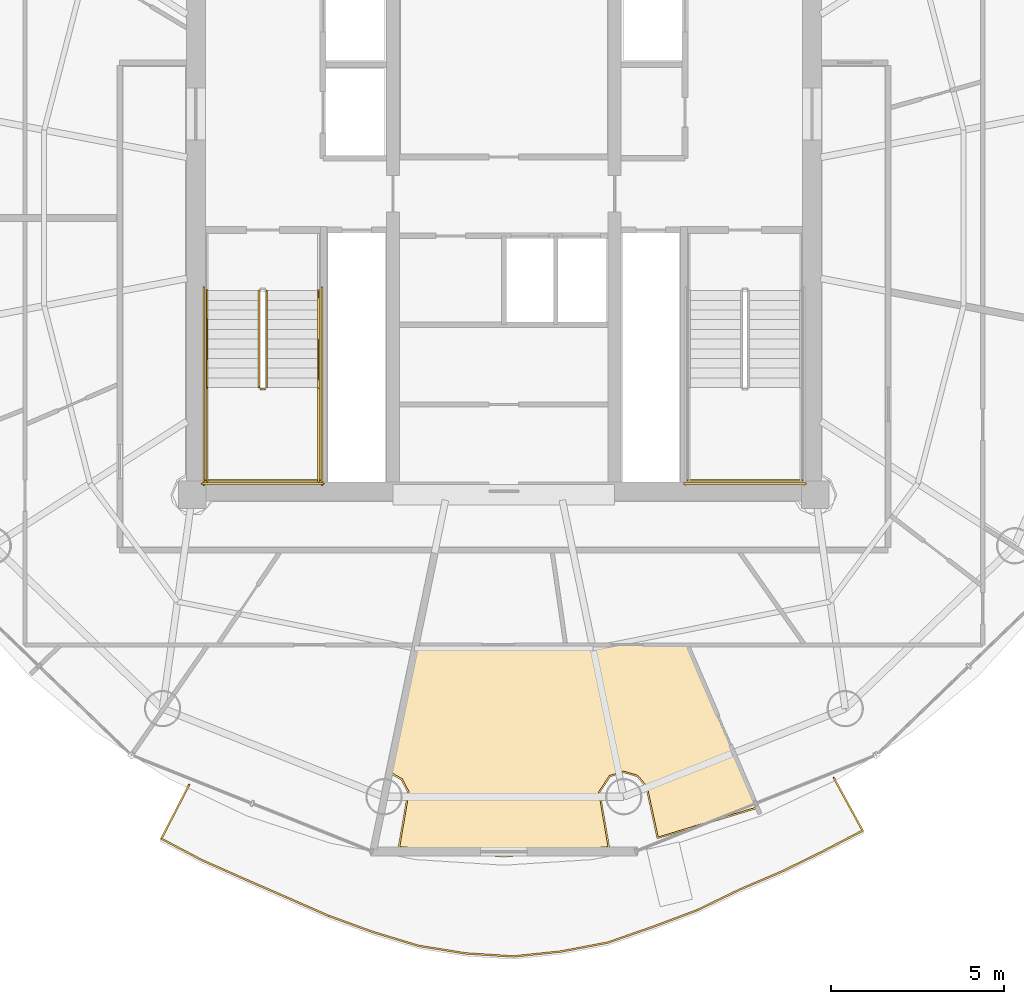
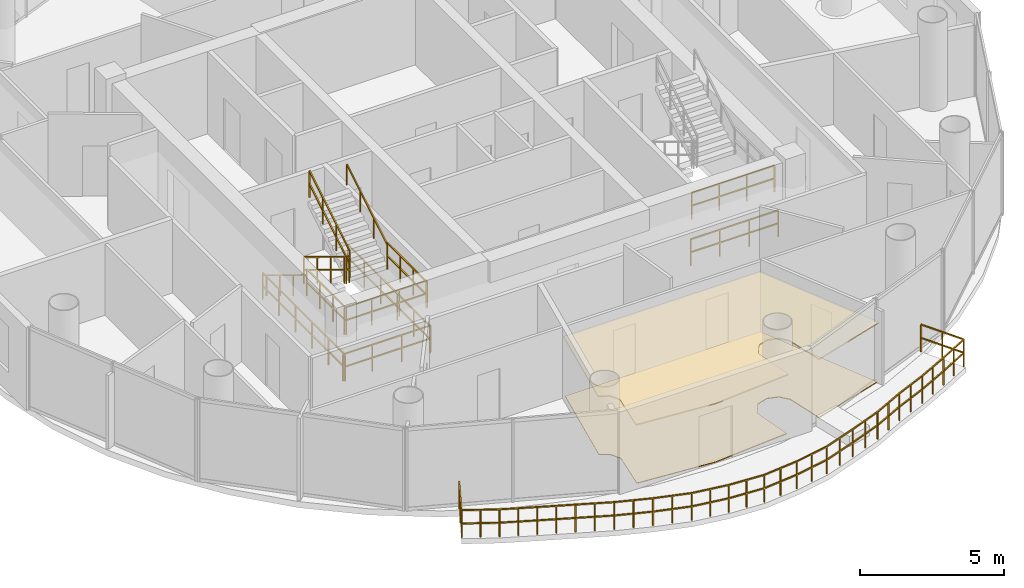
# One storey, part 21 of 23: 14 railings, 2 coverings.
"""IFC4 building model written with IfcOpenShell, lengths in metres."""

import ifcopenshell
import ifcopenshell.guid

model = None  # the IFC model being written
_history = None  # IfcOwnerHistory: only IFC2X3 demands one
_inside = {}  # id of a spatial element -> (the spatial element, [elements in it])
_under = {}  # id of a project, library or spatial element -> (it, [spatial elements below it])
_declared = {}  # id of a project -> (the project, [libraries it declares])
_typed = {}  # id of a type object -> (the type object, [elements of that type])
_made_of = {}  # id of a material, layer set ... -> (it, [elements and type objects made of it])


def new_model(schema):
    """Start an empty IFC model of exactly this schema.

    Asked for "IFC4X3", IfcOpenShell would pick the latest addendum, in which some entities
    have other attributes; the version numbers below select the first issue.
    IFC2X3 requires an IfcOwnerHistory on every rooted entity: one is made here for all.
    """
    global model, _history
    if schema == "IFC4X3":
        model = ifcopenshell.file(schema_version=(4, 3, 0, 0))
    else:
        model = ifcopenshell.file(schema=schema)
    _inside.clear()
    _under.clear()
    _declared.clear()
    _typed.clear()
    _made_of.clear()
    _history = None
    if model.schema == "IFC2X3":
        org = make("IfcOrganization", Name="unknown")
        user = make(
            "IfcPersonAndOrganization",
            ThePerson=make("IfcPerson", FamilyName="unknown"),
            TheOrganization=org,
        )
        app = make(
            "IfcApplication",
            ApplicationDeveloper=org,
            Version="unknown",
            ApplicationFullName="unknown",
            ApplicationIdentifier="unknown",
        )
        _history = make(
            "IfcOwnerHistory",
            OwningUser=user,
            OwningApplication=app,
            ChangeAction="ADDED",
            CreationDate=0,
        )
    return model


def make(cls, **values):
    """One entity of the class cls with the attributes given. An attribute that is None is left unset."""
    return model.create_entity(
        cls, **{name: value for name, value in values.items() if value is not None}
    )


def rooted(cls, **values):
    """An entity with a GlobalId (a new one), such as an element, a storey or a relation."""
    return make(cls, GlobalId=ifcopenshell.guid.new(), OwnerHistory=_history, **values)


def si_unit(unit_type, name, prefix=None):
    """IfcSIUnit, for example si_unit("LENGTHUNIT", "METRE", prefix="MILLI")."""
    return make("IfcSIUnit", UnitType=unit_type, Prefix=prefix, Name=name)


def assignment(units):
    """IfcUnitAssignment: the units of a project."""
    return None if units is None else make("IfcUnitAssignment", Units=units)


def point(xyz):
    """IfcCartesianPoint."""
    return None if xyz is None else make("IfcCartesianPoint", Coordinates=xyz)


def direction(xyz):
    """IfcDirection."""
    return None if xyz is None else make("IfcDirection", DirectionRatios=xyz)


def frame(location, z_axis=None, x_axis=None):
    """IfcAxis2Placement3D, a coordinate frame: its origin and axes. An axis left out is left unset."""
    return make(
        "IfcAxis2Placement3D",
        Location=point(location),
        Axis=direction(z_axis),
        RefDirection=direction(x_axis),
    )


def frame_2d(location, x_axis=None):
    """IfcAxis2Placement2D, a coordinate frame in the plane: its origin and x axis."""
    return make(
        "IfcAxis2Placement2D", Location=point(location), RefDirection=direction(x_axis)
    )


def origin():
    """The frame at (0, 0, 0) with its axes left unset."""
    return frame((0.0, 0.0, 0.0))


def origin_2d():
    """The frame at (0, 0) in the plane with its x axis left unset."""
    return frame_2d((0.0, 0.0))


def place(relative_to, where):
    """IfcLocalPlacement: puts the frame where relative to a parent placement (None: the world)."""
    return make(
        "IfcLocalPlacement", PlacementRelTo=relative_to, RelativePlacement=where
    )


def context(
    kind, dimensions, precision=None, world=None, true_north=None, identifier=None
):
    """IfcGeometricRepresentationContext, for example the 3D "Model" context."""
    return make(
        "IfcGeometricRepresentationContext",
        ContextIdentifier=identifier,
        ContextType=kind,
        CoordinateSpaceDimension=dimensions,
        Precision=precision,
        WorldCoordinateSystem=world,
        TrueNorth=true_north,
    )


def subcontext(parent, identifier, kind, view, scale=None):
    """IfcGeometricRepresentationSubContext, for example "Body" below "Model"."""
    return make(
        "IfcGeometricRepresentationSubContext",
        ContextIdentifier=identifier,
        ContextType=kind,
        ParentContext=parent,
        TargetScale=scale,
        TargetView=view,
    )


def project(units=None, contexts=None):
    """IfcProject with its units and contexts."""
    return rooted(
        "IfcProject",
        Name="project",
        RepresentationContexts=contexts,
        UnitsInContext=assignment(units),
    )


def spatial(cls, under=None, at=None, **own):
    """A site, building, storey or space (cls), placed at a placement, below another one or the project."""
    s = rooted(cls, ObjectPlacement=at, **own)
    if under is not None:
        _under.setdefault(under.id(), (under, []))[1].append(s)
    return s


def polyline(points):
    """IfcPolyline through the points."""
    return make("IfcPolyline", Points=[point(p) for p in points])


def profile(cls, at=None, kind="AREA", **sizes):
    """A parametric profile (cls). Its sizes go by their IFC names, for example OverallWidth=200.0."""
    return make(cls, ProfileType=kind, Position=at, **sizes)


def rectangle(**sizes):
    """IfcRectangleProfileDef."""
    return profile("IfcRectangleProfileDef", **sizes)


def outline(outer, holes=None, kind="AREA"):
    """IfcArbitraryClosedProfileDef: a profile drawn as a closed curve; with holes, ...WithVoids."""
    if holes is None:
        return make("IfcArbitraryClosedProfileDef", ProfileType=kind, OuterCurve=outer)
    return make(
        "IfcArbitraryProfileDefWithVoids",
        ProfileType=kind,
        OuterCurve=outer,
        InnerCurves=holes,
    )


def extrude(swept, where, along, depth):
    """IfcExtrudedAreaSolid: the profile swept, set in the frame where, extruded along a direction by depth."""
    return make(
        "IfcExtrudedAreaSolid",
        SweptArea=swept,
        Position=where,
        ExtrudedDirection=direction(along),
        Depth=depth,
    )


def shape(context_of_items, identifier, shape_type, items):
    """IfcShapeRepresentation: the items that make up one representation, for example the "Body"."""
    return make(
        "IfcShapeRepresentation",
        ContextOfItems=context_of_items,
        RepresentationIdentifier=identifier,
        RepresentationType=shape_type,
        Items=items,
    )


def material(Name=None, Category=None):
    """IfcMaterial."""
    return make("IfcMaterial", Name=Name, Category=Category)


def layer(
    of_material, thickness, ventilated=None, Name=None, Category=None, Priority=None
):
    """IfcMaterialLayer: one layer of a wall or slab, of a material (None: an air gap)."""
    return make(
        "IfcMaterialLayer",
        Material=of_material,
        LayerThickness=thickness,
        IsVentilated=ventilated,
        Name=Name,
        Category=Category,
        Priority=Priority,
    )


def layer_set(layers, Name=None):
    """IfcMaterialLayerSet."""
    return make("IfcMaterialLayerSet", MaterialLayers=layers, LayerSetName=Name)


def made_of(thing, what):
    """Note that an element or type object is made of a material, layer set ...; save() writes the relation."""
    if what is not None:
        _made_of.setdefault(what.id(), (what, []))[1].append(thing)
    return thing


def type_object(cls, material=None, **own):
    """A type object (cls), such as IfcWallType, which elements share."""
    return made_of(rooted(cls, **own), material)


def element(
    cls,
    number,
    at=None,
    inside=None,
    cuts=None,
    type_object=None,
    material=None,
    context=None,
    identifier="Body",
    shape_type=None,
    held_by="IfcProductDefinitionShape",
    body=None,
    shapes=None,
    **own,
):
    """One element of the class cls, such as IfcWall. Its Tag is "e" and its number.

    at: its placement. inside: the storey or other place that contains it. cuts: it is an
    opening in that element (IfcRelVoidsElement). A single representation is given by context,
    identifier, shape_type and body (its items); several are given by shapes. held_by: the class
    of the entity that holds the representations. save() writes the other relations.
    """
    e = rooted(cls, Tag="e%d" % number, ObjectPlacement=at, **own)
    if body is not None:
        shapes = [shape(context, identifier, shape_type, body)]
    if shapes is not None:
        e.Representation = make(held_by, Representations=shapes)
    if inside is not None:
        _inside.setdefault(inside.id(), (inside, []))[1].append(e)
    if cuts is not None:
        rooted(
            "IfcRelVoidsElement", RelatingBuildingElement=cuts, RelatedOpeningElement=e
        )
    if type_object is not None:
        _typed.setdefault(type_object.id(), (type_object, []))[1].append(e)
    return made_of(e, material)


def aggregate(whole, parts):
    """IfcRelAggregates: a whole, such as a stair, and the parts it consists of."""
    return rooted("IfcRelAggregates", RelatingObject=whole, RelatedObjects=parts)


def save(model, path):
    """Write the relations noted so far, then the file.

    IfcRelAggregates (storeys below a building ...), IfcRelContainedInSpatialStructure (elements
    in a storey), IfcRelDefinesByType, IfcRelAssociatesMaterial and IfcRelDeclares: one each for
    every whole, place, type object, material and project.
    """
    for whole, parts in _under.values():
        aggregate(whole, parts)
    for where, things in _inside.values():
        rooted(
            "IfcRelContainedInSpatialStructure",
            RelatedElements=things,
            RelatingStructure=where,
        )
    for kind, things in _typed.values():
        rooted("IfcRelDefinesByType", RelatedObjects=things, RelatingType=kind)
    for what, things in _made_of.values():
        rooted("IfcRelAssociatesMaterial", RelatedObjects=things, RelatingMaterial=what)
    for by, libraries in _declared.values():
        rooted("IfcRelDeclares", RelatingContext=by, RelatedDefinitions=libraries)
    model.write(path)


model = new_model("IFC4")

# Units and contexts
model_context = context("Model", 3, precision=1e-05, world=origin(), true_north=direction((-0.2419218956, 0.970295726276)))
body_context = subcontext(model_context, "Body", "Model", "MODEL_VIEW")
ifc_project = project(units=[si_unit("LENGTHUNIT", "METRE"), si_unit("AREAUNIT", "SQUARE_METRE"), si_unit("VOLUMEUNIT", "CUBIC_METRE"), si_unit("PLANEANGLEUNIT", "RADIAN"), si_unit("MASSUNIT", "GRAM", prefix="KILO")], contexts=[model_context])

# Site, building, storey
site_placement = place(None, origin())
site = spatial("IfcSite", under=ifc_project, at=site_placement, CompositionType="ELEMENT")
building_placement = place(site_placement, origin())
building = spatial("IfcBuilding", under=site, at=building_placement, Name="Cobrevalo Terracotta Tower", CompositionType="ELEMENT")
storey_placement = place(building_placement, frame((0.0, 0.0, 263.199951171875)))
storey = spatial("IfcBuildingStorey", under=building, at=storey_placement, Name="L69", CompositionType="ELEMENT", Elevation=263.199951171875)

# Railing
ifc_material_1 = material(Name="Laminated structural glass and stainless steel", Category="steel")
railing_type_1 = type_object("IfcRailingType", Name="Balcony lobe structural glass & terracotta-cap balustrade 1180 mm", PredefinedType="BALUSTRADE", material=ifc_material_1)
railing_1_placement = place(storey_placement, frame((28.90380859375, 10.417724609375, 0.0)))
element("IfcRailing", 1, at=railing_1_placement, inside=storey, type_object=railing_type_1, Name="L69 spiralling balcony lobe balustrade 2", PredefinedType="BALUSTRADE", context=body_context, shape_type="SweptSolid", body=[
    extrude(rectangle(XDim=0.048095703125, YDim=0.048095703125, at=origin_2d()), frame((0.0, 0.0, 1.15576171875), z_axis=(-0.458575315671, -0.888655546237, 0.0), x_axis=(0.888655546237, -0.458575315671, 0.0)), (0.0, 0.0, 1.0), 1.747802734375),
    extrude(rectangle(XDim=0.048095703125, YDim=0.048095703125, at=origin_2d()), frame((0.0, 0.0, 0.58984375), z_axis=(-0.458575315671, -0.888655546237, 0.0), x_axis=(0.888655546237, -0.458575315671, 0.0)), (0.0, 0.0, 1.0), 1.747802734375),
    extrude(rectangle(XDim=0.048095703125, YDim=0.048095703125, at=origin_2d()), frame((-0.801513671875, -1.55322265625, 1.15576171875), z_axis=(0.884233821263, -0.46704448325, 0.0), x_axis=(0.46704448325, 0.884233821263, 0.0)), (0.0, 0.0, 1.0), 1.3173828125),
    extrude(rectangle(XDim=0.048095703125, YDim=0.048095703125, at=origin_2d()), frame((-0.801513671875, -1.55322265625, 0.58984375), z_axis=(0.884233821263, -0.46704448325, 0.0), x_axis=(0.46704448325, 0.884233821263, 0.0)), (0.0, 0.0, 1.0), 1.3173828125),
    extrude(rectangle(XDim=0.048095703125, YDim=0.048095703125, at=origin_2d()), frame((0.36328125, -2.16845703125, 1.15576171875), z_axis=(0.913964164801, -0.40579490566, 0.0), x_axis=(0.40579490566, 0.913964164801, 0.0)), (0.0, 0.0, 1.0), 1.31884765625),
    extrude(rectangle(XDim=0.048095703125, YDim=0.048095703125, at=origin_2d()), frame((0.36328125, -2.16845703125, 0.58984375), z_axis=(0.913964164801, -0.40579490566, 0.0), x_axis=(0.40579490566, 0.913964164801, 0.0)), (0.0, 0.0, 1.0), 1.31884765625),
    extrude(rectangle(XDim=0.048095703125, YDim=0.048095703125, at=origin_2d()), frame((1.568603515625, -2.70361328125, 1.15576171875), z_axis=(0.916577218662, -0.399857727486, 0.0), x_axis=(0.399857727486, 0.916577218662, 0.0)), (0.0, 0.0, 1.0), 1.332763671875),
    extrude(rectangle(XDim=0.048095703125, YDim=0.048095703125, at=origin_2d()), frame((1.568603515625, -2.70361328125, 0.58984375), z_axis=(0.916577218662, -0.399857727486, 0.0), x_axis=(0.399857727486, 0.916577218662, 0.0)), (0.0, 0.0, 1.0), 1.332763671875),
    extrude(rectangle(XDim=0.048095703125, YDim=0.048095703125, at=origin_2d()), frame((2.790283203125, -3.236572265625, 1.15576171875), z_axis=(0.915546675093, -0.402211742403, 0.0), x_axis=(0.402211742403, 0.915546675093, 0.0)), (0.0, 0.0, 1.0), 1.35107421875),
    extrude(rectangle(XDim=0.048095703125, YDim=0.048095703125, at=origin_2d()), frame((2.790283203125, -3.236572265625, 0.58984375), z_axis=(0.915546675093, -0.402211742403, 0.0), x_axis=(0.402211742403, 0.915546675093, 0.0)), (0.0, 0.0, 1.0), 1.35107421875),
    extrude(rectangle(XDim=0.048095703125, YDim=0.048095703125, at=origin_2d()), frame((4.02734375, -3.780029296875, 1.15576171875), z_axis=(0.939396574317, -0.342832431608, 0.0), x_axis=(0.342832431608, 0.939396574317, 0.0)), (0.0, 0.0, 1.0), 1.3671875),
    extrude(rectangle(XDim=0.048095703125, YDim=0.048095703125, at=origin_2d()), frame((4.02734375, -3.780029296875, 0.58984375), z_axis=(0.939396574317, -0.342832431608, 0.0), x_axis=(0.342832431608, 0.939396574317, 0.0)), (0.0, 0.0, 1.0), 1.3671875),
    extrude(rectangle(XDim=0.048095703125, YDim=0.048095703125, at=origin_2d()), frame((5.311767578125, -4.248779296875, 1.15576171875), z_axis=(0.957082455814, -0.289815756598, 0.0), x_axis=(0.289815756598, 0.957082455814, 0.0)), (0.0, 0.0, 1.0), 1.37890625),
    extrude(rectangle(XDim=0.048095703125, YDim=0.048095703125, at=origin_2d()), frame((5.311767578125, -4.248779296875, 0.58984375), z_axis=(0.957082455814, -0.289815756598, 0.0), x_axis=(0.289815756598, 0.957082455814, 0.0)), (0.0, 0.0, 1.0), 1.37890625),
    extrude(rectangle(XDim=0.048095703125, YDim=0.048095703125, at=origin_2d()), frame((6.631591796875, -4.6484375, 1.15576171875), z_axis=(0.987352143185, -0.158542566361, 0.0), x_axis=(0.158542566361, 0.987352143185, 0.0)), (0.0, 0.0, 1.0), 1.379638671875),
    extrude(rectangle(XDim=0.048095703125, YDim=0.048095703125, at=origin_2d()), frame((6.631591796875, -4.6484375, 0.58984375), z_axis=(0.987352143185, -0.158542566361, 0.0), x_axis=(0.158542566361, 0.987352143185, 0.0)), (0.0, 0.0, 1.0), 1.379638671875),
    extrude(rectangle(XDim=0.048095703125, YDim=0.048095703125, at=origin_2d()), frame((7.993896484375, -4.8671875, 1.15576171875), z_axis=(0.997947975202, -0.064029983521, 0.0), x_axis=(0.064029983521, 0.997947975202, 0.0)), (0.0, 0.0, 1.0), 1.38037109375),
    extrude(rectangle(XDim=0.048095703125, YDim=0.048095703125, at=origin_2d()), frame((7.993896484375, -4.8671875, 0.58984375), z_axis=(0.997947975202, -0.064029983521, 0.0), x_axis=(0.064029983521, 0.997947975202, 0.0)), (0.0, 0.0, 1.0), 1.38037109375),
    extrude(rectangle(XDim=0.048095703125, YDim=0.048095703125, at=origin_2d()), frame((9.371337890625, -4.95556640625, 1.15576171875), z_axis=(0.994555663036, 0.104206684637, 0.0), x_axis=(-0.104206684637, 0.994555663036, 0.0)), (0.0, 0.0, 1.0), 1.38232421875),
    extrude(rectangle(XDim=0.048095703125, YDim=0.048095703125, at=origin_2d()), frame((9.371337890625, -4.95556640625, 0.58984375), z_axis=(0.994555663036, 0.104206684637, 0.0), x_axis=(-0.104206684637, 0.994555663036, 0.0)), (0.0, 0.0, 1.0), 1.38232421875),
    extrude(rectangle(XDim=0.048095703125, YDim=0.048095703125, at=origin_2d()), frame((10.74609375, -4.8115234375, 1.15576171875), z_axis=(0.982287325141, 0.187380924503, 0.0), x_axis=(-0.187380924503, 0.982287325141, 0.0)), (0.0, 0.0, 1.0), 1.377197265625),
    extrude(rectangle(XDim=0.048095703125, YDim=0.048095703125, at=origin_2d()), frame((10.74609375, -4.8115234375, 0.58984375), z_axis=(0.982287325141, 0.187380924503, 0.0), x_axis=(-0.187380924503, 0.982287325141, 0.0)), (0.0, 0.0, 1.0), 1.377197265625),
    extrude(rectangle(XDim=0.048095703125, YDim=0.048095703125, at=origin_2d()), frame((12.098876953125, -4.553466796875, 1.15576171875), z_axis=(0.944320251889, 0.329027752436, 0.0), x_axis=(-0.329027752436, 0.944320251889, 0.0)), (0.0, 0.0, 1.0), 1.381591796875),
    extrude(rectangle(XDim=0.048095703125, YDim=0.048095703125, at=origin_2d()), frame((12.098876953125, -4.553466796875, 0.58984375), z_axis=(0.944320251889, 0.329027752436, 0.0), x_axis=(-0.329027752436, 0.944320251889, 0.0)), (0.0, 0.0, 1.0), 1.381591796875),
    extrude(rectangle(XDim=0.048095703125, YDim=0.048095703125, at=origin_2d()), frame((13.403564453125, -4.098876953125, 1.15576171875), z_axis=(0.936092956402, 0.351752721347, 0.0), x_axis=(-0.351752721347, 0.936092956402, 0.0)), (0.0, 0.0, 1.0), 1.3603515625),
    extrude(rectangle(XDim=0.048095703125, YDim=0.048095703125, at=origin_2d()), frame((13.403564453125, -4.098876953125, 0.58984375), z_axis=(0.936092956402, 0.351752721347, 0.0), x_axis=(-0.351752721347, 0.936092956402, 0.0)), (0.0, 0.0, 1.0), 1.3603515625),
    extrude(rectangle(XDim=0.048095703125, YDim=0.048095703125, at=origin_2d()), frame((14.677001953125, -3.620361328125, 1.15576171875), z_axis=(0.899495994412, 0.436929005716, 0.0), x_axis=(-0.436929005716, 0.899495994412, 0.0)), (0.0, 0.0, 1.0), 1.352294921875),
    extrude(rectangle(XDim=0.048095703125, YDim=0.048095703125, at=origin_2d()), frame((14.677001953125, -3.620361328125, 0.58984375), z_axis=(0.899495994412, 0.436929005716, 0.0), x_axis=(-0.436929005716, 0.899495994412, 0.0)), (0.0, 0.0, 1.0), 1.352294921875),
    extrude(rectangle(XDim=0.048095703125, YDim=0.048095703125, at=origin_2d()), frame((15.893310546875, -3.029541015625, 1.15576171875), z_axis=(0.919515821722, 0.393052990834, 0.0), x_axis=(-0.393052990834, 0.919515821722, 0.0)), (0.0, 0.0, 1.0), 1.32666015625),
    extrude(rectangle(XDim=0.048095703125, YDim=0.048095703125, at=origin_2d()), frame((15.893310546875, -3.029541015625, 0.58984375), z_axis=(0.919515821722, 0.393052990834, 0.0), x_axis=(-0.393052990834, 0.919515821722, 0.0)), (0.0, 0.0, 1.0), 1.32666015625),
    extrude(rectangle(XDim=0.048095703125, YDim=0.048095703125, at=origin_2d()), frame((17.11328125, -2.508056640625, 1.15576171875), z_axis=(0.897881967075, 0.440236269748, 0.0), x_axis=(-0.440236269748, 0.897881967075, 0.0)), (0.0, 0.0, 1.0), 1.318115234375),
    extrude(rectangle(XDim=0.048095703125, YDim=0.048095703125, at=origin_2d()), frame((17.11328125, -2.508056640625, 0.58984375), z_axis=(0.897881967075, 0.440236269748, 0.0), x_axis=(-0.440236269748, 0.897881967075, 0.0)), (0.0, 0.0, 1.0), 1.318115234375),
    extrude(rectangle(XDim=0.048095703125, YDim=0.048095703125, at=origin_2d()), frame((18.296875, -1.927734375, 1.15576171875), z_axis=(0.886611319605, 0.462515262394, 0.0), x_axis=(-0.462515262394, 0.886611319605, 0.0)), (0.0, 0.0, 1.0), 1.3154296875),
    extrude(rectangle(XDim=0.048095703125, YDim=0.048095703125, at=origin_2d()), frame((18.296875, -1.927734375, 0.58984375), z_axis=(0.886611319605, 0.462515262394, 0.0), x_axis=(-0.462515262394, 0.886611319605, 0.0)), (0.0, 0.0, 1.0), 1.3154296875),
    extrude(rectangle(XDim=0.048095703125, YDim=0.048095703125, at=origin_2d()), frame((19.463134765625, -1.3193359375, 1.15576171875), z_axis=(-0.480355748796, 0.877073745245, 0.0), x_axis=(-0.877073745245, -0.480355748796, 0.0)), (0.0, 0.0, 1.0), 1.73974609375),
    extrude(rectangle(XDim=0.048095703125, YDim=0.048095703125, at=origin_2d()), frame((19.463134765625, -1.3193359375, 0.58984375), z_axis=(-0.480355748796, 0.877073745245, 0.0), x_axis=(-0.877073745245, -0.480355748796, 0.0)), (0.0, 0.0, 1.0), 1.73974609375),
    extrude(rectangle(XDim=0.0419921875, YDim=0.0419921875, at=origin_2d()), origin(), (0.0, 0.0, 1.0), 1.1318359375),
    extrude(rectangle(XDim=0.0419921875, YDim=0.0419921875, at=origin_2d()), frame((-0.40087890625, -0.776611328125, 0.0)), (0.0, 0.0, 1.0), 1.1318359375),
    extrude(rectangle(XDim=0.0419921875, YDim=0.0419921875, at=origin_2d()), frame((-0.801513671875, -1.55322265625, 0.0)), (0.0, 0.0, 1.0), 1.1318359375),
    extrude(rectangle(XDim=0.0419921875, YDim=0.0419921875, at=origin_2d()), frame((-0.21923828125, -1.86083984375, 0.0)), (0.0, 0.0, 1.0), 1.1318359375),
    extrude(rectangle(XDim=0.0419921875, YDim=0.0419921875, at=origin_2d()), frame((0.36328125, -2.16845703125, 0.0)), (0.0, 0.0, 1.0), 1.1318359375),
    extrude(rectangle(XDim=0.0419921875, YDim=0.0419921875, at=origin_2d()), frame((0.9658203125, -2.43603515625, 0.0)), (0.0, 0.0, 1.0), 1.1318359375),
    extrude(rectangle(XDim=0.0419921875, YDim=0.0419921875, at=origin_2d()), frame((1.568603515625, -2.70361328125, 0.0)), (0.0, 0.0, 1.0), 1.1318359375),
    extrude(rectangle(XDim=0.0419921875, YDim=0.0419921875, at=origin_2d()), frame((2.179443359375, -2.97021484375, 0.0)), (0.0, 0.0, 1.0), 1.1318359375),
    extrude(rectangle(XDim=0.0419921875, YDim=0.0419921875, at=origin_2d()), frame((2.790283203125, -3.236572265625, 0.0)), (0.0, 0.0, 1.0), 1.1318359375),
    extrude(rectangle(XDim=0.0419921875, YDim=0.0419921875, at=origin_2d()), frame((3.40869140625, -3.50830078125, 0.0)), (0.0, 0.0, 1.0), 1.1318359375),
    extrude(rectangle(XDim=0.0419921875, YDim=0.0419921875, at=origin_2d()), frame((4.02734375, -3.780029296875, 0.0)), (0.0, 0.0, 1.0), 1.1318359375),
    extrude(rectangle(XDim=0.0419921875, YDim=0.0419921875, at=origin_2d()), frame((4.66943359375, -4.014404296875, 0.0)), (0.0, 0.0, 1.0), 1.1318359375),
    extrude(rectangle(XDim=0.0419921875, YDim=0.0419921875, at=origin_2d()), frame((5.311767578125, -4.248779296875, 0.0)), (0.0, 0.0, 1.0), 1.1318359375),
    extrude(rectangle(XDim=0.0419921875, YDim=0.0419921875, at=origin_2d()), frame((5.9716796875, -4.44873046875, 0.0)), (0.0, 0.0, 1.0), 1.1318359375),
    extrude(rectangle(XDim=0.0419921875, YDim=0.0419921875, at=origin_2d()), frame((6.631591796875, -4.6484375, 0.0)), (0.0, 0.0, 1.0), 1.1318359375),
    extrude(rectangle(XDim=0.0419921875, YDim=0.0419921875, at=origin_2d()), frame((7.312744140625, -4.7578125, 0.0)), (0.0, 0.0, 1.0), 1.1318359375),
    extrude(rectangle(XDim=0.0419921875, YDim=0.0419921875, at=origin_2d()), frame((7.993896484375, -4.8671875, 0.0)), (0.0, 0.0, 1.0), 1.1318359375),
    extrude(rectangle(XDim=0.0419921875, YDim=0.0419921875, at=origin_2d()), frame((8.6826171875, -4.911376953125, 0.0)), (0.0, 0.0, 1.0), 1.1318359375),
    extrude(rectangle(XDim=0.0419921875, YDim=0.0419921875, at=origin_2d()), frame((9.371337890625, -4.95556640625, 0.0)), (0.0, 0.0, 1.0), 1.1318359375),
    extrude(rectangle(XDim=0.0419921875, YDim=0.0419921875, at=origin_2d()), frame((10.05859375, -4.883544921875, 0.0)), (0.0, 0.0, 1.0), 1.1318359375),
    extrude(rectangle(XDim=0.0419921875, YDim=0.0419921875, at=origin_2d()), frame((10.74609375, -4.8115234375, 0.0)), (0.0, 0.0, 1.0), 1.1318359375),
    extrude(rectangle(XDim=0.0419921875, YDim=0.0419921875, at=origin_2d()), frame((11.42236328125, -4.6826171875, 0.0)), (0.0, 0.0, 1.0), 1.1318359375),
    extrude(rectangle(XDim=0.0419921875, YDim=0.0419921875, at=origin_2d()), frame((12.098876953125, -4.553466796875, 0.0)), (0.0, 0.0, 1.0), 1.1318359375),
    extrude(rectangle(XDim=0.0419921875, YDim=0.0419921875, at=origin_2d()), frame((12.751220703125, -4.326171875, 0.0)), (0.0, 0.0, 1.0), 1.1318359375),
    extrude(rectangle(XDim=0.0419921875, YDim=0.0419921875, at=origin_2d()), frame((13.403564453125, -4.098876953125, 0.0)), (0.0, 0.0, 1.0), 1.1318359375),
    extrude(rectangle(XDim=0.0419921875, YDim=0.0419921875, at=origin_2d()), frame((14.040283203125, -3.859619140625, 0.0)), (0.0, 0.0, 1.0), 1.1318359375),
    extrude(rectangle(XDim=0.0419921875, YDim=0.0419921875, at=origin_2d()), frame((14.677001953125, -3.620361328125, 0.0)), (0.0, 0.0, 1.0), 1.1318359375),
    extrude(rectangle(XDim=0.0419921875, YDim=0.0419921875, at=origin_2d()), frame((15.28515625, -3.324951171875, 0.0)), (0.0, 0.0, 1.0), 1.1318359375),
    extrude(rectangle(XDim=0.0419921875, YDim=0.0419921875, at=origin_2d()), frame((15.893310546875, -3.029541015625, 0.0)), (0.0, 0.0, 1.0), 1.1318359375),
    extrude(rectangle(XDim=0.0419921875, YDim=0.0419921875, at=origin_2d()), frame((16.50341796875, -2.768798828125, 0.0)), (0.0, 0.0, 1.0), 1.1318359375),
    extrude(rectangle(XDim=0.0419921875, YDim=0.0419921875, at=origin_2d()), frame((17.11328125, -2.508056640625, 0.0)), (0.0, 0.0, 1.0), 1.1318359375),
    extrude(rectangle(XDim=0.0419921875, YDim=0.0419921875, at=origin_2d()), frame((17.705078125, -2.2177734375, 0.0)), (0.0, 0.0, 1.0), 1.1318359375),
    extrude(rectangle(XDim=0.0419921875, YDim=0.0419921875, at=origin_2d()), frame((18.296875, -1.927734375, 0.0)), (0.0, 0.0, 1.0), 1.1318359375),
    extrude(rectangle(XDim=0.0419921875, YDim=0.0419921875, at=origin_2d()), frame((18.8798828125, -1.62353515625, 0.0)), (0.0, 0.0, 1.0), 1.1318359375),
    extrude(rectangle(XDim=0.0419921875, YDim=0.0419921875, at=origin_2d()), frame((19.463134765625, -1.3193359375, 0.0)), (0.0, 0.0, 1.0), 1.1318359375),
    extrude(rectangle(XDim=0.0419921875, YDim=0.0419921875, at=origin_2d()), frame((19.04541015625, -0.556396484375, 0.0)), (0.0, 0.0, 1.0), 1.1318359375),
    extrude(rectangle(XDim=0.0419921875, YDim=0.0419921875, at=origin_2d()), frame((18.62744140625, 0.20654296875, 0.0)), (0.0, 0.0, 1.0), 1.1318359375),
])

# Coverings
ifc_material_2 = material(Name="Engineered Brazilian hardwood flooring", Category="wood")
ifc_layer_1 = layer(ifc_material_2, 0.028076171875)
ifc_layer_set_1 = layer_set([ifc_layer_1], Name="Engineered Brazilian hardwood flooring")
covering_type_1 = type_object("IfcCoveringType", Name="Engineered Hardwood Suite Flooring 28", PredefinedType="FLOORING", material=ifc_layer_set_1)
covering_1_placement = place(storey_placement, origin())
element("IfcCovering", 2, at=covering_1_placement, inside=storey, type_object=covering_type_1, Name="Flat L69C Living and Dining Room floor finish", PredefinedType="FLOORING", context=body_context, shape_type="SweptSolid", body=[
    extrude(outline(polyline([(42.45947265625, 8.9140625), (42.144287109375, 10.3662109375), (41.869140625, 10.6962890625), (41.45703125, 10.817626953125), (41.046875, 10.689697265625), (40.73583984375, 10.21630859375), (41.005859375, 8.635498046875), (38.0, 8.380126953125), (34.994140625, 8.635498046875), (35.26416015625, 10.21630859375), (35.064453125, 10.596923828125), (34.71728515625, 10.79296875), (35.470947265625, 14.445068359375), (43.287353515625, 14.445068359375), (45.294189453125, 9.77490234375), (42.45947265625, 8.9140625)])), origin(), (0.0, 0.0, 1.0), 0.030029296875),
])
ifc_material_3 = material(Name="Acoustic perforated gypsum ceiling", Category="gypsum")
ifc_layer_2 = layer(ifc_material_3, 0.050048828125)
ifc_layer_set_2 = layer_set([ifc_layer_2], Name="Acoustic perforated gypsum ceiling")
covering_type_2 = type_object("IfcCoveringType", Name="Perforated Acoustic Gypsum Ceiling 50", PredefinedType="CEILING", material=ifc_layer_set_2)
covering_2_placement = place(storey_placement, frame((0.0, 0.0, 2.5)))
element("IfcCovering", 3, at=covering_2_placement, inside=storey, type_object=covering_type_2, Name="Flat L69C Living and Dining Room acoustic ceiling", PredefinedType="CEILING", context=body_context, shape_type="SweptSolid", body=[
    extrude(outline(polyline([(42.424560546875, 8.861328125), (42.102783203125, 10.3486328125), (41.84423828125, 10.658447265625), (41.45751953125, 10.7724609375), (41.072265625, 10.65234375), (40.7802734375, 10.207763671875), (41.05908203125, 8.599853515625), (38.0, 8.3349609375), (34.94091796875, 8.599853515625), (35.2197265625, 10.207763671875), (35.0322265625, 10.565185546875), (34.6650390625, 10.76220703125), (35.43408203125, 14.489990234375), (43.317138671875, 14.489990234375), (45.35498046875, 9.747314453125), (42.424560546875, 8.861328125)])), origin(), (0.0, 0.0, 1.0), 0.050048828125),
])

# Railings
ifc_material_4 = material(Name="Brushed stainless steel", Category="steel")
railing_type_2 = type_object("IfcRailingType", Name="Stainless Steel Stair Handrail 900", PredefinedType="HANDRAIL", material=ifc_material_4)
railing_2_placement = place(storey_placement, frame((29.425048828125, 24.699951171875, 0.17041015625)))
element("IfcRailing", 4, at=railing_2_placement, inside=storey, type_object=railing_type_2, Name="L69 ST-1 stair handrail 1", PredefinedType="HANDRAIL", context=body_context, shape_type="SweptSolid", body=[
    extrude(rectangle(XDim=0.048095703125, YDim=0.048095703125, at=origin_2d()), frame((0.0, 0.0, 0.8759765625), z_axis=(0.0, -0.854169791009, 0.51999420009), x_axis=(1.0, 0.0, 0.0)), (0.0, 0.0, 1.0), 3.278076171875),
    extrude(rectangle(XDim=0.0419921875, YDim=0.0419921875, at=origin_2d()), origin(), (0.0, 0.0, 1.0), 0.851806640625),
    extrude(rectangle(XDim=0.0419921875, YDim=0.0419921875, at=origin_2d()), frame((0.0, -0.933349609375, 0.568115234375)), (0.0, 0.0, 1.0), 0.851806640625),
    extrude(rectangle(XDim=0.0419921875, YDim=0.0419921875, at=origin_2d()), frame((0.0, -1.86669921875, 1.136474609375)), (0.0, 0.0, 1.0), 0.851806640625),
    extrude(rectangle(XDim=0.0419921875, YDim=0.0419921875, at=origin_2d()), frame((0.0, -2.800048828125, 1.70458984375)), (0.0, 0.0, 1.0), 0.851806640625),
])
railing_3_placement = place(storey_placement, frame((32.64501953125, 21.89990234375, 2.04541015625)))
element("IfcRailing", 5, at=railing_3_placement, inside=storey, type_object=railing_type_2, Name="L69 ST-1 stair handrail 2", PredefinedType="HANDRAIL", context=body_context, shape_type="SweptSolid", body=[
    extrude(rectangle(XDim=0.048095703125, YDim=0.048095703125, at=origin_2d()), frame((0.0, 0.0, 0.8759765625), z_axis=(0.0, 0.854169791009, 0.51999420009), x_axis=(-1.0, 0.0, 0.0)), (0.0, 0.0, 1.0), 3.278076171875),
    extrude(rectangle(XDim=0.0419921875, YDim=0.0419921875, at=origin_2d()), origin(), (0.0, 0.0, 1.0), 0.851806640625),
    extrude(rectangle(XDim=0.0419921875, YDim=0.0419921875, at=origin_2d()), frame((0.0, 0.933349609375, 0.568115234375)), (0.0, 0.0, 1.0), 0.851806640625),
    extrude(rectangle(XDim=0.0419921875, YDim=0.0419921875, at=origin_2d()), frame((0.0, 1.86669921875, 1.136474609375)), (0.0, 0.0, 1.0), 0.851806640625),
    extrude(rectangle(XDim=0.0419921875, YDim=0.0419921875, at=origin_2d()), frame((0.0, 2.800048828125, 1.70458984375)), (0.0, 0.0, 1.0), 0.851806640625),
])
ifc_material_5 = material(Name="Painted galvanized steel", Category="steel")
railing_type_3 = type_object("IfcRailingType", Name="Stair Well Guard Balustrade 1150", PredefinedType="GUARDRAIL", material=ifc_material_5)
railing_4_placement = place(storey_placement, frame((30.925048828125, 24.699951171875, 0.17041015625)))
element("IfcRailing", 6, at=railing_4_placement, inside=storey, type_object=railing_type_3, Name="L69 ST-1 stair guard 1", PredefinedType="GUARDRAIL", context=body_context, shape_type="SweptSolid", body=[
    extrude(rectangle(XDim=0.048095703125, YDim=0.048095703125, at=origin_2d()), frame((0.0, 0.0, 1.1259765625), z_axis=(0.0, -0.854169791009, 0.51999420009), x_axis=(1.0, 0.0, 0.0)), (0.0, 0.0, 1.0), 3.278076171875),
    extrude(rectangle(XDim=0.048095703125, YDim=0.048095703125, at=origin_2d()), frame((0.0, 0.0, 0.574951171875), z_axis=(0.0, -0.854169791009, 0.51999420009), x_axis=(1.0, 0.0, 0.0)), (0.0, 0.0, 1.0), 3.278076171875),
    extrude(rectangle(XDim=0.0419921875, YDim=0.0419921875, at=origin_2d()), origin(), (0.0, 0.0, 1.0), 1.101806640625),
    extrude(rectangle(XDim=0.0419921875, YDim=0.0419921875, at=origin_2d()), frame((0.0, -0.933349609375, 0.568115234375)), (0.0, 0.0, 1.0), 1.101806640625),
    extrude(rectangle(XDim=0.0419921875, YDim=0.0419921875, at=origin_2d()), frame((0.0, -1.86669921875, 1.136474609375)), (0.0, 0.0, 1.0), 1.101806640625),
    extrude(rectangle(XDim=0.0419921875, YDim=0.0419921875, at=origin_2d()), frame((0.0, -2.800048828125, 1.70458984375)), (0.0, 0.0, 1.0), 1.101806640625),
])
railing_5_placement = place(storey_placement, frame((30.97509765625, 21.85009765625, 1.875)))
element("IfcRailing", 7, at=railing_5_placement, inside=storey, type_object=railing_type_3, Name="L69 ST-1 stair guard 2", PredefinedType="GUARDRAIL", context=body_context, shape_type="SweptSolid", body=[
    extrude(rectangle(XDim=0.048095703125, YDim=0.048095703125, at=origin_2d()), frame((0.0, 0.0, 1.1259765625), z_axis=(1.0, 0.0, 0.0), x_axis=(0.0, 1.0, 0.0)), (0.0, 0.0, 1.0), 0.119873046875),
    extrude(rectangle(XDim=0.048095703125, YDim=0.048095703125, at=origin_2d()), frame((0.0, 0.0, 0.574951171875), z_axis=(1.0, 0.0, 0.0), x_axis=(0.0, 1.0, 0.0)), (0.0, 0.0, 1.0), 0.119873046875),
    extrude(rectangle(XDim=0.0419921875, YDim=0.0419921875, at=origin_2d()), origin(), (0.0, 0.0, 1.0), 1.101806640625),
    extrude(rectangle(XDim=0.0419921875, YDim=0.0419921875, at=origin_2d()), frame((0.119873046875, 0.0, 0.0)), (0.0, 0.0, 1.0), 1.101806640625),
])
for number, where, name in (
    (8, (29.425048828125, 21.89990234375, 1.875), "L69 ST-1 stair guard 3"),
    (9, (32.64501953125, 21.89990234375, 1.875), "L69 ST-1 stair guard 4"),
):
    element("IfcRailing", number, at=place(storey_placement, frame(where)), inside=storey, type_object=railing_type_3, Name=name, PredefinedType="GUARDRAIL", context=body_context, shape_type="SweptSolid", body=[
        extrude(rectangle(XDim=0.048095703125, YDim=0.048095703125, at=origin_2d()), frame((0.0, 0.0, 1.1259765625), z_axis=(0.0, -1.0, 0.0), x_axis=(1.0, 0.0, 0.0)), (0.0, 0.0, 1.0), 2.724853515625),
        extrude(rectangle(XDim=0.048095703125, YDim=0.048095703125, at=origin_2d()), frame((0.0, 0.0, 0.574951171875), z_axis=(0.0, -1.0, 0.0), x_axis=(1.0, 0.0, 0.0)), (0.0, 0.0, 1.0), 2.724853515625),
        extrude(rectangle(XDim=0.0419921875, YDim=0.0419921875, at=origin_2d()), origin(), (0.0, 0.0, 1.0), 1.101806640625),
        extrude(rectangle(XDim=0.0419921875, YDim=0.0419921875, at=origin_2d()), frame((0.0, -0.908203125, 0.0)), (0.0, 0.0, 1.0), 1.101806640625),
        extrude(rectangle(XDim=0.0419921875, YDim=0.0419921875, at=origin_2d()), frame((0.0, -1.816650390625, 0.0)), (0.0, 0.0, 1.0), 1.101806640625),
        extrude(rectangle(XDim=0.0419921875, YDim=0.0419921875, at=origin_2d()), frame((0.0, -2.724853515625, 0.0)), (0.0, 0.0, 1.0), 1.101806640625),
    ])
railing_6_placement = place(storey_placement, frame((29.375, 19.22509765625, 1.875)))
element("IfcRailing", 10, at=railing_6_placement, inside=storey, type_object=railing_type_3, Name="L69 ST-1 stair guard 5", PredefinedType="GUARDRAIL", context=body_context, shape_type="SweptSolid", body=[
    extrude(rectangle(XDim=0.048095703125, YDim=0.048095703125, at=origin_2d()), frame((0.0, 0.0, 1.1259765625), z_axis=(1.0, 0.0, 0.0), x_axis=(0.0, 1.0, 0.0)), (0.0, 0.0, 1.0), 3.320068359375),
    extrude(rectangle(XDim=0.048095703125, YDim=0.048095703125, at=origin_2d()), frame((0.0, 0.0, 0.574951171875), z_axis=(1.0, 0.0, 0.0), x_axis=(0.0, 1.0, 0.0)), (0.0, 0.0, 1.0), 3.320068359375),
    extrude(rectangle(XDim=0.0419921875, YDim=0.0419921875, at=origin_2d()), origin(), (0.0, 0.0, 1.0), 1.101806640625),
    extrude(rectangle(XDim=0.0419921875, YDim=0.0419921875, at=origin_2d()), frame((1.106689453125, 0.0, 0.0)), (0.0, 0.0, 1.0), 1.101806640625),
    extrude(rectangle(XDim=0.0419921875, YDim=0.0419921875, at=origin_2d()), frame((2.21337890625, 0.0, 0.0)), (0.0, 0.0, 1.0), 1.101806640625),
    extrude(rectangle(XDim=0.0419921875, YDim=0.0419921875, at=origin_2d()), frame((3.320068359375, 0.0, 0.0)), (0.0, 0.0, 1.0), 1.101806640625),
])
railing_7_placement = place(storey_placement, frame((31.14501953125, 21.89990234375, 2.04541015625)))
element("IfcRailing", 11, at=railing_7_placement, inside=storey, type_object=railing_type_3, Name="L69 ST-1 stair guard 6", PredefinedType="GUARDRAIL", context=body_context, shape_type="SweptSolid", body=[
    extrude(rectangle(XDim=0.048095703125, YDim=0.048095703125, at=origin_2d()), frame((0.0, 0.0, 1.1259765625), z_axis=(0.0, 0.854169791009, 0.51999420009), x_axis=(-1.0, 0.0, 0.0)), (0.0, 0.0, 1.0), 3.278076171875),
    extrude(rectangle(XDim=0.048095703125, YDim=0.048095703125, at=origin_2d()), frame((0.0, 0.0, 0.574951171875), z_axis=(0.0, 0.854169791009, 0.51999420009), x_axis=(-1.0, 0.0, 0.0)), (0.0, 0.0, 1.0), 3.278076171875),
    extrude(rectangle(XDim=0.0419921875, YDim=0.0419921875, at=origin_2d()), origin(), (0.0, 0.0, 1.0), 1.101806640625),
    extrude(rectangle(XDim=0.0419921875, YDim=0.0419921875, at=origin_2d()), frame((0.0, 0.933349609375, 0.568115234375)), (0.0, 0.0, 1.0), 1.101806640625),
    extrude(rectangle(XDim=0.0419921875, YDim=0.0419921875, at=origin_2d()), frame((0.0, 1.86669921875, 1.136474609375)), (0.0, 0.0, 1.0), 1.101806640625),
    extrude(rectangle(XDim=0.0419921875, YDim=0.0419921875, at=origin_2d()), frame((0.0, 2.800048828125, 1.70458984375)), (0.0, 0.0, 1.0), 1.101806640625),
])
for number, where, name in (
    (12, (29.324951171875, 24.800048828125, 0.0), "L69 ST-1 stair guard 10"),
    (13, (32.7451171875, 24.800048828125, 0.0), "L69 ST-1 stair guard 11"),
):
    element("IfcRailing", number, at=place(storey_placement, frame(where)), inside=storey, type_object=railing_type_3, Name=name, PredefinedType="GUARDRAIL", context=body_context, shape_type="SweptSolid", body=[
        extrude(rectangle(XDim=0.048095703125, YDim=0.048095703125, at=origin_2d()), frame((0.0, 0.0, 1.1259765625), z_axis=(0.0, -1.0, 0.0), x_axis=(1.0, 0.0, 0.0)), (0.0, 0.0, 1.0), 5.72509765625),
        extrude(rectangle(XDim=0.048095703125, YDim=0.048095703125, at=origin_2d()), frame((0.0, 0.0, 0.574951171875), z_axis=(0.0, -1.0, 0.0), x_axis=(1.0, 0.0, 0.0)), (0.0, 0.0, 1.0), 5.72509765625),
        extrude(rectangle(XDim=0.0419921875, YDim=0.0419921875, at=origin_2d()), origin(), (0.0, 0.0, 1.0), 1.101806640625),
        extrude(rectangle(XDim=0.0419921875, YDim=0.0419921875, at=origin_2d()), frame((0.0, -1.14501953125, 0.0)), (0.0, 0.0, 1.0), 1.101806640625),
        extrude(rectangle(XDim=0.0419921875, YDim=0.0419921875, at=origin_2d()), frame((0.0, -2.2900390625, 0.0)), (0.0, 0.0, 1.0), 1.101806640625),
        extrude(rectangle(XDim=0.0419921875, YDim=0.0419921875, at=origin_2d()), frame((0.0, -3.43505859375, 0.0)), (0.0, 0.0, 1.0), 1.101806640625),
        extrude(rectangle(XDim=0.0419921875, YDim=0.0419921875, at=origin_2d()), frame((0.0, -4.580078125, 0.0)), (0.0, 0.0, 1.0), 1.101806640625),
        extrude(rectangle(XDim=0.0419921875, YDim=0.0419921875, at=origin_2d()), frame((0.0, -5.72509765625, 0.0)), (0.0, 0.0, 1.0), 1.101806640625),
    ])
railing_8_placement = place(storey_placement, frame((29.27490234375, 19.125, 0.0)))
element("IfcRailing", 14, at=railing_8_placement, inside=storey, type_object=railing_type_3, Name="L69 ST-1 stair guard 12", PredefinedType="GUARDRAIL", context=body_context, shape_type="SweptSolid", body=[
    extrude(rectangle(XDim=0.048095703125, YDim=0.048095703125, at=origin_2d()), frame((0.0, 0.0, 1.1259765625), z_axis=(1.0, 0.0, 0.0), x_axis=(0.0, 1.0, 0.0)), (0.0, 0.0, 1.0), 3.52001953125),
    extrude(rectangle(XDim=0.048095703125, YDim=0.048095703125, at=origin_2d()), frame((0.0, 0.0, 0.574951171875), z_axis=(1.0, 0.0, 0.0), x_axis=(0.0, 1.0, 0.0)), (0.0, 0.0, 1.0), 3.52001953125),
    extrude(rectangle(XDim=0.0419921875, YDim=0.0419921875, at=origin_2d()), origin(), (0.0, 0.0, 1.0), 1.101806640625),
    extrude(rectangle(XDim=0.0419921875, YDim=0.0419921875, at=origin_2d()), frame((1.17333984375, 0.0, 0.0)), (0.0, 0.0, 1.0), 1.101806640625),
    extrude(rectangle(XDim=0.0419921875, YDim=0.0419921875, at=origin_2d()), frame((2.3466796875, 0.0, 0.0)), (0.0, 0.0, 1.0), 1.101806640625),
    extrude(rectangle(XDim=0.0419921875, YDim=0.0419921875, at=origin_2d()), frame((3.52001953125, 0.0, 0.0)), (0.0, 0.0, 1.0), 1.101806640625),
])
railing_9_placement = place(storey_placement, frame((43.304931640625, 19.22509765625, 1.875)))
element("IfcRailing", 15, at=railing_9_placement, inside=storey, type_object=railing_type_3, Name="L69 ST-2 stair guard 5", PredefinedType="GUARDRAIL", context=body_context, shape_type="SweptSolid", body=[
    extrude(rectangle(XDim=0.048095703125, YDim=0.048095703125, at=origin_2d()), frame((0.0, 0.0, 1.1259765625), z_axis=(1.0, 0.0, 0.0), x_axis=(0.0, 1.0, 0.0)), (0.0, 0.0, 1.0), 3.320068359375),
    extrude(rectangle(XDim=0.048095703125, YDim=0.048095703125, at=origin_2d()), frame((0.0, 0.0, 0.574951171875), z_axis=(1.0, 0.0, 0.0), x_axis=(0.0, 1.0, 0.0)), (0.0, 0.0, 1.0), 3.320068359375),
    extrude(rectangle(XDim=0.0419921875, YDim=0.0419921875, at=origin_2d()), origin(), (0.0, 0.0, 1.0), 1.101806640625),
    extrude(rectangle(XDim=0.0419921875, YDim=0.0419921875, at=origin_2d()), frame((1.106689453125, 0.0, 0.0)), (0.0, 0.0, 1.0), 1.101806640625),
    extrude(rectangle(XDim=0.0419921875, YDim=0.0419921875, at=origin_2d()), frame((2.21337890625, 0.0, 0.0)), (0.0, 0.0, 1.0), 1.101806640625),
    extrude(rectangle(XDim=0.0419921875, YDim=0.0419921875, at=origin_2d()), frame((3.320068359375, 0.0, 0.0)), (0.0, 0.0, 1.0), 1.101806640625),
])
railing_10_placement = place(storey_placement, frame((43.205078125, 19.125, 0.0)))
element("IfcRailing", 16, at=railing_10_placement, inside=storey, type_object=railing_type_3, Name="L69 ST-2 stair guard 12", PredefinedType="GUARDRAIL", context=body_context, shape_type="SweptSolid", body=[
    extrude(rectangle(XDim=0.048095703125, YDim=0.048095703125, at=origin_2d()), frame((0.0, 0.0, 1.1259765625), z_axis=(1.0, 0.0, 0.0), x_axis=(0.0, 1.0, 0.0)), (0.0, 0.0, 1.0), 3.52001953125),
    extrude(rectangle(XDim=0.048095703125, YDim=0.048095703125, at=origin_2d()), frame((0.0, 0.0, 0.574951171875), z_axis=(1.0, 0.0, 0.0), x_axis=(0.0, 1.0, 0.0)), (0.0, 0.0, 1.0), 3.52001953125),
    extrude(rectangle(XDim=0.0419921875, YDim=0.0419921875, at=origin_2d()), origin(), (0.0, 0.0, 1.0), 1.101806640625),
    extrude(rectangle(XDim=0.0419921875, YDim=0.0419921875, at=origin_2d()), frame((1.17333984375, 0.0, 0.0)), (0.0, 0.0, 1.0), 1.101806640625),
    extrude(rectangle(XDim=0.0419921875, YDim=0.0419921875, at=origin_2d()), frame((2.3466796875, 0.0, 0.0)), (0.0, 0.0, 1.0), 1.101806640625),
    extrude(rectangle(XDim=0.0419921875, YDim=0.0419921875, at=origin_2d()), frame((3.52001953125, 0.0, 0.0)), (0.0, 0.0, 1.0), 1.101806640625),
])

save(model, "model.ifc")
